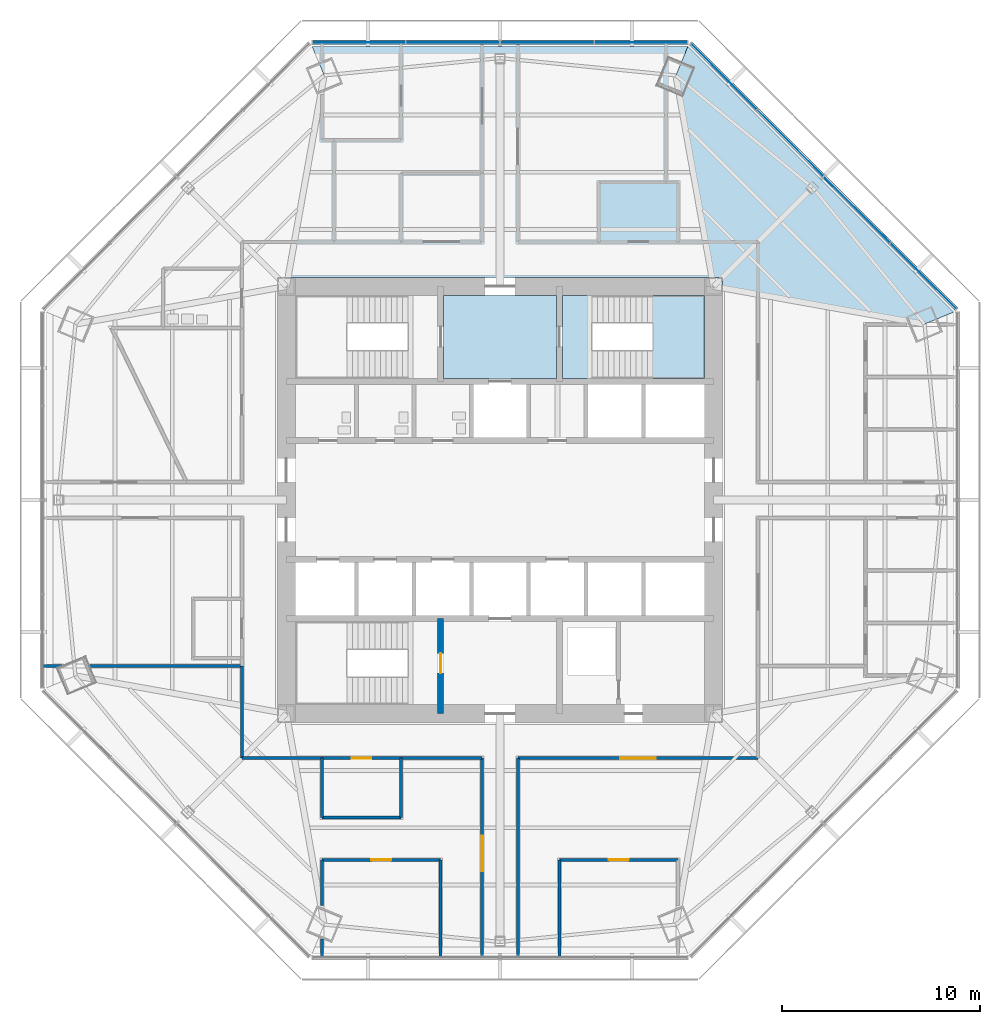
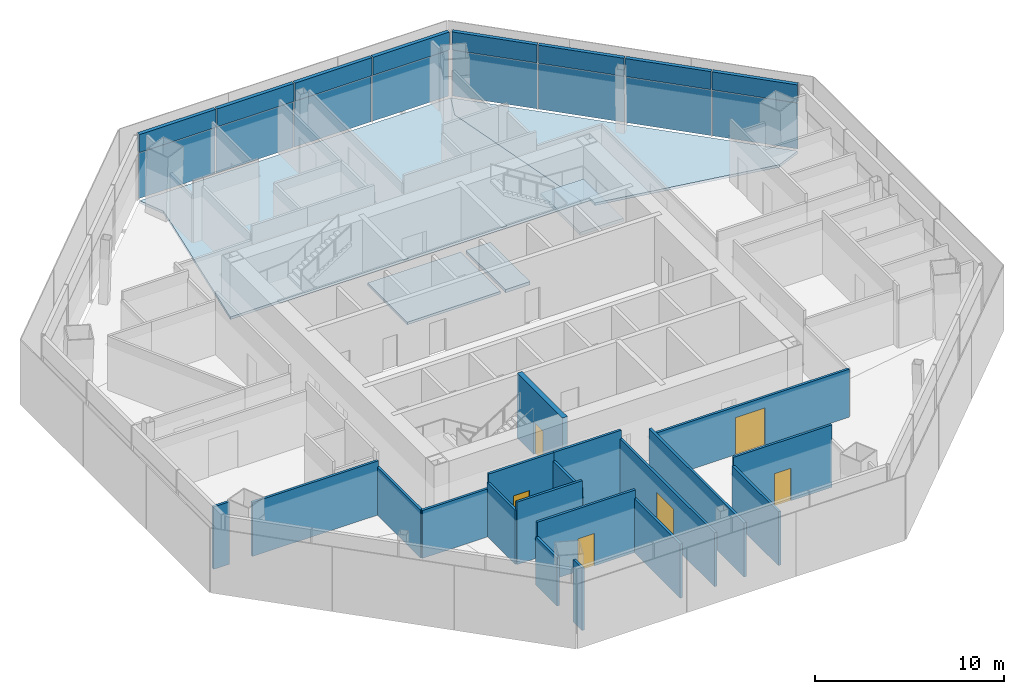
# One storey, part 8 of 15: 19 walls, 16 plates, 6 doors, 5 slabs, 6 openings, 3 elements without a shape of their own.
"""IFC4 building model written with IfcOpenShell, lengths in metres."""

from ifc_helpers import new_model, si_unit, direction, frame, frame_2d, origin, origin_2d, place, context, subcontext, project, spatial, polyline, rectangle, outline, extrude, source, transform, mapped, material, layer, layer_set, type_object, type_shapes, element, fill, aggregate, save


model = new_model("IFC4")

# Units and contexts
model_context = context("Model", 3, precision=1e-05, world=origin(), true_north=direction((0.0, 1.0)))
body_context = subcontext(model_context, "Body", "Model", "MODEL_VIEW")
ifc_project = project(units=[si_unit("LENGTHUNIT", "METRE"), si_unit("AREAUNIT", "SQUARE_METRE"), si_unit("VOLUMEUNIT", "CUBIC_METRE"), si_unit("PLANEANGLEUNIT", "RADIAN"), si_unit("MASSUNIT", "GRAM", prefix="KILO")], contexts=[model_context])

# Site, building, storey
site_placement = place(None, origin())
site = spatial("IfcSite", under=ifc_project, at=site_placement, CompositionType="ELEMENT")
building_placement = place(site_placement, origin())
building = spatial("IfcBuilding", under=site, at=building_placement, Name="Mashrafa Tower", CompositionType="ELEMENT")
storey_placement = place(building_placement, frame((0.0, 0.0, 172.199951171875)))
storey = spatial("IfcBuildingStorey", under=building, at=storey_placement, Name="L39", CompositionType="ELEMENT", Elevation=172.199951171875)

# Slabs
ifc_material_1 = material(Name="Concrete C35/45", Category="concrete")
ifc_layer_1 = layer(ifc_material_1, 0.1650390625)
ifc_layer_set_1 = layer_set([ifc_layer_1], Name="Floor slab 165")
slab_type_1 = type_object("IfcSlabType", Name="Floor slab 165", PredefinedType="FLOOR", material=ifc_layer_set_1)
slab_1_placement = place(storey_placement, frame((0.0, 0.0, -0.1650390625)))
element("IfcSlab", 1, at=slab_1_placement, inside=storey, type_object=slab_type_1, Name="Floor slab L39 north-east bay", PredefinedType="FLOOR", context=body_context, shape_type="SweptSolid", body=[
    extrude(outline(polyline([(9.50341796875, 22.943359375), (22.943359375, 9.50341796875), (22.943359375, 9.50341796875), (21.469970703125, 8.89306640625), (11.25, 10.719482421875), (11.25, 11.25), (10.719482421875, 11.25), (8.89306640625, 21.469970703125), (9.50341796875, 22.943359375), (9.50341796875, 22.943359375)])), origin(), (0.0, 0.0, 1.0), 0.1650390625),
])
slab_2_placement = place(storey_placement, frame((0.0, 0.0, -0.1650390625)))
element("IfcSlab", 2, at=slab_2_placement, inside=storey, type_object=slab_type_1, Name="Floor slab L39 north bay", PredefinedType="FLOOR", context=body_context, shape_type="SweptSolid", body=[
    extrude(outline(polyline([(9.50341796875, 22.943359375), (8.89306640625, 21.469970703125), (10.719482421875, 11.25), (-10.719482421875, 11.25), (-8.89306640625, 21.469970703125), (-9.50341796875, 22.943359375), (9.50341796875, 22.943359375)])), origin(), (0.0, 0.0, 1.0), 0.1650390625),
])
slab_3_placement = place(storey_placement, frame((0.0, 0.0, -0.1650390625)))
element("IfcSlab", 3, at=slab_3_placement, inside=storey, type_object=slab_type_1, Name="Core floor fire-fighting lobby north L39", PredefinedType="FLOOR", context=body_context, shape_type="SweptSolid", body=[
    extrude(outline(polyline([(-2.85009765625, 10.35009765625), (2.85009765625, 10.35009765625), (2.85009765625, 6.14990234375), (-2.85009765625, 6.14990234375), (-2.85009765625, 10.35009765625)])), origin(), (0.0, 0.0, 1.0), 0.1650390625),
])

# Stair, slabs
ifc_material_2 = material(Name="Exit stair 1400")
stair_type = type_object("IfcStairType", Name="Exit stair 1400", PredefinedType="HALF_TURN_STAIR", material=ifc_material_2)
stair_placement = place(storey_placement, origin())
stair = element("IfcStair", 4, at=stair_placement, inside=storey, type_object=stair_type, Name="Stair S2 L39", PredefinedType="HALF_TURN_STAIR")
ifc_material_3 = material(Name="Concrete C32/40", Category="concrete")
ifc_layer_2 = layer(ifc_material_3, 0.199951171875)
ifc_layer_set_2 = layer_set([ifc_layer_2], Name="Stair landing 200")
slab_type_2 = type_object("IfcSlabType", Name="Stair landing 200", PredefinedType="LANDING", material=ifc_layer_set_2)
slab_4_placement = place(storey_placement, frame((0.0, 0.0, -0.199951171875)))
slab_4 = element("IfcSlab", 5, at=slab_4_placement, type_object=slab_type_2, Name="S2 landing 1", PredefinedType="LANDING", context=body_context, shape_type="SweptSolid", body=[
    extrude(outline(polyline([(3.14990234375, 6.14990234375), (4.659912109375, 6.14990234375), (4.659912109375, 10.35009765625), (3.14990234375, 10.35009765625), (3.14990234375, 6.14990234375)])), origin(), (0.0, 0.0, 1.0), 0.199951171875),
])
slab_5_placement = place(storey_placement, frame((0.0, 0.0, 1.900146484375)))
slab_5 = element("IfcSlab", 6, at=slab_5_placement, type_object=slab_type_2, Name="S2 landing 2", PredefinedType="LANDING", context=body_context, shape_type="SweptSolid", body=[
    extrude(outline(polyline([(7.719970703125, 6.14990234375), (10.35009765625, 6.14990234375), (10.35009765625, 10.35009765625), (7.719970703125, 10.35009765625), (7.719970703125, 6.14990234375)])), origin(), (0.0, 0.0, 1.0), 0.199951171875),
])
aggregate(stair, [slab_4, slab_5])

# Curtain wall, plates
ifc_material_4 = material(Name="Unitised aluminium curtain wall", Category="aluminium")
curtain_wall_type = type_object("IfcCurtainWallType", Name="Office curtain wall, zone 2 CW-B 225 deep", PredefinedType="NOTDEFINED", material=ifc_material_4)
curtain_wall_1_placement = place(storey_placement, origin())
curtain_wall_1 = element("IfcCurtainWall", 7, at=curtain_wall_1_placement, inside=storey, type_object=curtain_wall_type, Name="Office curtain wall, zone 2 L39 north-east", PredefinedType="NOTDEFINED")
ifc_material_5 = material(Name="Insulated double glazing, low-e, neutral", Category="glass")
ifc_layer_3 = layer(ifc_material_5, 0.028076171875)
ifc_layer_set_3 = layer_set([ifc_layer_3], Name="Vision panel CW-B 28")
plate_type_1 = type_object("IfcPlateType", Name="Vision panel CW-B 28", PredefinedType="CURTAIN_PANEL", material=ifc_layer_set_3)
shared_shape_1 = source(origin(), body_context, "Body", "SweptSolid", [
    extrude(rectangle(XDim=4.66748046875, YDim=0.028076171875, at=origin_2d()), origin(), (0.0, 0.0, 1.0), 2.9599609375),
])
plate_1_placement = place(storey_placement, frame((21.4072265625, 11.322509765625, 0.0), z_axis=(0.0, 0.0, 1.0), x_axis=(-0.707106781187, 0.707106781187, 0.0)))
plate_1 = element("IfcPlate", 8, at=plate_1_placement, type_object=plate_type_1, Name="CW-B vision panel 1", PredefinedType="CURTAIN_PANEL", context=body_context, shape_type="MappedRepresentation", body=[
    mapped(shared_shape_1, transform((0.0, 0.0, 0.0))),
])
plate_2_placement = place(storey_placement, frame((11.322509765625, 21.4072265625, 0.0), z_axis=(0.0, 0.0, 1.0), x_axis=(-0.707106781187, 0.707106781187, 0.0)))
plate_2 = element("IfcPlate", 9, at=plate_2_placement, type_object=plate_type_1, Name="CW-B vision panel 4", PredefinedType="CURTAIN_PANEL", context=body_context, shape_type="MappedRepresentation", body=[
    mapped(shared_shape_1, transform((0.0, 0.0, 0.0))),
])

curtain_wall_2_placement = place(storey_placement, origin())
curtain_wall_2 = element("IfcCurtainWall", 10, at=curtain_wall_2_placement, inside=storey, type_object=curtain_wall_type, Name="Office curtain wall, zone 2 L39 north", PredefinedType="NOTDEFINED")
plate_3_placement = place(storey_placement, frame((7.131103515625, 23.143310546875, 0.0), z_axis=(0.0, 0.0, 1.0), x_axis=(-1.0, 0.0, 0.0)))
plate_3 = element("IfcPlate", 11, at=plate_3_placement, type_object=plate_type_1, Name="CW-B vision panel 1", PredefinedType="CURTAIN_PANEL", context=body_context, shape_type="MappedRepresentation", body=[
    mapped(shared_shape_1, transform((0.0, 0.0, 0.0))),
])
plate_4_placement = place(storey_placement, frame((-7.131103515625, 23.143310546875, 0.0), z_axis=(0.0, 0.0, 1.0), x_axis=(-1.0, 0.0, 0.0)))
plate_4 = element("IfcPlate", 12, at=plate_4_placement, type_object=plate_type_1, Name="CW-B vision panel 4", PredefinedType="CURTAIN_PANEL", context=body_context, shape_type="MappedRepresentation", body=[
    mapped(shared_shape_1, transform((0.0, 0.0, 0.0))),
])

# Plate
ifc_material_6 = material(Name="Insulated aluminium spandrel panel", Category="aluminium")
ifc_layer_4 = layer(ifc_material_6, 0.219970703125)
ifc_layer_set_4 = layer_set([ifc_layer_4], Name="Spandrel panel CW-B 220")
plate_type_2 = type_object("IfcPlateType", Name="Spandrel panel CW-B 220", PredefinedType="CURTAIN_PANEL", material=ifc_layer_set_4)
shared_shape_2 = source(origin(), body_context, "Body", "SweptSolid", [
    extrude(rectangle(XDim=4.66748046875, YDim=0.219970703125, at=origin_2d()), origin(), (0.0, 0.0, 1.0), 1.159912109375),
])
plate_5_placement = place(storey_placement, frame((21.4072265625, 11.322509765625, 3.0400390625), z_axis=(0.0, 0.0, 1.0), x_axis=(-0.707106781187, 0.707106781187, 0.0)))
plate_5 = element("IfcPlate", 13, at=plate_5_placement, type_object=plate_type_2, Name="CW-B spandrel panel 1", PredefinedType="CURTAIN_PANEL", context=body_context, shape_type="MappedRepresentation", body=[
    mapped(shared_shape_2, transform((0.0, 0.0, 0.0))),
])

plate_6_placement = place(storey_placement, frame((11.322509765625, 21.4072265625, 3.0400390625), z_axis=(0.0, 0.0, 1.0), x_axis=(-0.707106781187, 0.707106781187, 0.0)))
plate_6 = element("IfcPlate", 14, at=plate_6_placement, type_object=plate_type_2, Name="CW-B spandrel panel 4", PredefinedType="CURTAIN_PANEL", context=body_context, shape_type="MappedRepresentation", body=[
    mapped(shared_shape_2, transform((0.0, 0.0, 0.0))),
])

plate_7_placement = place(storey_placement, frame((7.131103515625, 23.143310546875, 3.0400390625), z_axis=(0.0, 0.0, 1.0), x_axis=(-1.0, 0.0, 0.0)))
plate_7 = element("IfcPlate", 15, at=plate_7_placement, type_object=plate_type_2, Name="CW-B spandrel panel 1", PredefinedType="CURTAIN_PANEL", context=body_context, shape_type="MappedRepresentation", body=[
    mapped(shared_shape_2, transform((0.0, 0.0, 0.0))),
])

plate_8_placement = place(storey_placement, frame((-7.131103515625, 23.143310546875, 3.0400390625), z_axis=(0.0, 0.0, 1.0), x_axis=(-1.0, 0.0, 0.0)))
plate_8 = element("IfcPlate", 16, at=plate_8_placement, type_object=plate_type_2, Name="CW-B spandrel panel 4", PredefinedType="CURTAIN_PANEL", context=body_context, shape_type="MappedRepresentation", body=[
    mapped(shared_shape_2, transform((0.0, 0.0, 0.0))),
])

shared_shape_3 = source(origin(), body_context, "Body", "SweptSolid", [
    extrude(rectangle(XDim=4.699951171875, YDim=0.028076171875, at=origin_2d()), origin(), (0.0, 0.0, 1.0), 2.9599609375),
])
type_shapes(plate_type_1, [shared_shape_1, shared_shape_3])
plate_9_placement = place(storey_placement, frame((18.049560546875, 14.68017578125, 0.0), z_axis=(0.0, 0.0, 1.0), x_axis=(-0.707106781187, 0.707106781187, 0.0)))
plate_9 = element("IfcPlate", 17, at=plate_9_placement, type_object=plate_type_1, Name="CW-B vision panel 2", PredefinedType="CURTAIN_PANEL", context=body_context, shape_type="MappedRepresentation", body=[
    mapped(shared_shape_3, transform((0.0, 0.0, 0.0))),
])

plate_10_placement = place(storey_placement, frame((14.68017578125, 18.049560546875, 0.0), z_axis=(0.0, 0.0, 1.0), x_axis=(-0.707106781187, 0.707106781187, 0.0)))
plate_10 = element("IfcPlate", 18, at=plate_10_placement, type_object=plate_type_1, Name="CW-B vision panel 3", PredefinedType="CURTAIN_PANEL", context=body_context, shape_type="MappedRepresentation", body=[
    mapped(shared_shape_3, transform((0.0, 0.0, 0.0))),
])

plate_11_placement = place(storey_placement, frame((2.38232421875, 23.143310546875, 0.0), z_axis=(0.0, 0.0, 1.0), x_axis=(-1.0, 0.0, 0.0)))
plate_11 = element("IfcPlate", 19, at=plate_11_placement, type_object=plate_type_1, Name="CW-B vision panel 2", PredefinedType="CURTAIN_PANEL", context=body_context, shape_type="MappedRepresentation", body=[
    mapped(shared_shape_3, transform((0.0, 0.0, 0.0))),
])

plate_12_placement = place(storey_placement, frame((-2.38232421875, 23.143310546875, 0.0), z_axis=(0.0, 0.0, 1.0), x_axis=(-1.0, 0.0, 0.0)))
plate_12 = element("IfcPlate", 20, at=plate_12_placement, type_object=plate_type_1, Name="CW-B vision panel 3", PredefinedType="CURTAIN_PANEL", context=body_context, shape_type="MappedRepresentation", body=[
    mapped(shared_shape_3, transform((0.0, 0.0, 0.0))),
])

shared_shape_4 = source(origin(), body_context, "Body", "SweptSolid", [
    extrude(rectangle(XDim=4.699951171875, YDim=0.219970703125, at=origin_2d()), origin(), (0.0, 0.0, 1.0), 1.159912109375),
])
type_shapes(plate_type_2, [shared_shape_2, shared_shape_4])
plate_13_placement = place(storey_placement, frame((18.049560546875, 14.68017578125, 3.0400390625), z_axis=(0.0, 0.0, 1.0), x_axis=(-0.707106781187, 0.707106781187, 0.0)))
plate_13 = element("IfcPlate", 21, at=plate_13_placement, type_object=plate_type_2, Name="CW-B spandrel panel 2", PredefinedType="CURTAIN_PANEL", context=body_context, shape_type="MappedRepresentation", body=[
    mapped(shared_shape_4, transform((0.0, 0.0, 0.0))),
])

plate_14_placement = place(storey_placement, frame((14.68017578125, 18.049560546875, 3.0400390625), z_axis=(0.0, 0.0, 1.0), x_axis=(-0.707106781187, 0.707106781187, 0.0)))
plate_14 = element("IfcPlate", 22, at=plate_14_placement, type_object=plate_type_2, Name="CW-B spandrel panel 3", PredefinedType="CURTAIN_PANEL", context=body_context, shape_type="MappedRepresentation", body=[
    mapped(shared_shape_4, transform((0.0, 0.0, 0.0))),
])

aggregate(curtain_wall_1, [plate_1, plate_5, plate_9, plate_13, plate_10, plate_14, plate_2, plate_6])

plate_15_placement = place(storey_placement, frame((2.38232421875, 23.143310546875, 3.0400390625), z_axis=(0.0, 0.0, 1.0), x_axis=(-1.0, 0.0, 0.0)))
plate_15 = element("IfcPlate", 23, at=plate_15_placement, type_object=plate_type_2, Name="CW-B spandrel panel 2", PredefinedType="CURTAIN_PANEL", context=body_context, shape_type="MappedRepresentation", body=[
    mapped(shared_shape_4, transform((0.0, 0.0, 0.0))),
])

plate_16_placement = place(storey_placement, frame((-2.38232421875, 23.143310546875, 3.0400390625), z_axis=(0.0, 0.0, 1.0), x_axis=(-1.0, 0.0, 0.0)))
plate_16 = element("IfcPlate", 24, at=plate_16_placement, type_object=plate_type_2, Name="CW-B spandrel panel 3", PredefinedType="CURTAIN_PANEL", context=body_context, shape_type="MappedRepresentation", body=[
    mapped(shared_shape_4, transform((0.0, 0.0, 0.0))),
])

aggregate(curtain_wall_2, [plate_3, plate_7, plate_11, plate_15, plate_12, plate_16, plate_4, plate_8])

# Wall, opening, door
ifc_material_7 = material(Name="Concrete C60/75", Category="concrete")
ifc_layer_5 = layer(ifc_material_7, 0.300048828125)
ifc_layer_set_5 = layer_set([ifc_layer_5], Name="Core wall 300 C60/75")
wall_type_1 = type_object("IfcWallType", Name="Core wall 300 C60/75", PredefinedType="SOLIDWALL", material=ifc_layer_set_5)
wall_1_placement = place(storey_placement, frame((-3.0, -6.0, 0.0), z_axis=(0.0, 0.0, 1.0), x_axis=(0.0, -1.0, 0.0)))
wall_1 = element("IfcWall", 25, at=wall_1_placement, inside=storey, type_object=wall_type_1, Name="Core wall CX-SW L39", PredefinedType="SOLIDWALL", context=body_context, shape_type="SweptSolid", body=[
    extrude(rectangle(XDim=4.800048828125, YDim=0.300048828125, at=frame_2d((2.39990234375, 0.0))), origin(), (0.0, 0.0, 1.0), 4.199951171875),
])
opening_1_placement = place(wall_1_placement, frame((1.75, 0.0, 0.0)))
opening_1 = element("IfcOpeningElement", 26, at=opening_1_placement, cuts=wall_1, Name="Opening 39.032", PredefinedType="OPENING", context=body_context, shape_type="SweptSolid", body=[
    extrude(rectangle(XDim=1.0, YDim=2.10009765625, at=frame_2d((0.5, 1.050048828125))), frame((0.0, 0.159912109375, 0.0), z_axis=(0.0, -1.0, 0.0), x_axis=(1.0, 0.0, 0.0)), (0.0, 0.0, 1.0), 0.320068359375),
])
ifc_material_8 = material(Name="Steel door", Category="steel")
door_type_1 = type_object("IfcDoorType", Name="Stair door 1000 x 2100 90 min", OperationType="USERDEFINED", PredefinedType="DOOR", material=ifc_material_8)
door_1_placement = place(opening_1_placement, frame((1.0, 0.0, 0.0), z_axis=(0.0, 0.0, 1.0), x_axis=(-1.0, 0.0, 0.0)))
door_1 = element("IfcDoor", 27, at=door_1_placement, inside=storey, type_object=door_type_1, Name="Stair S3 door L39", OperationType="SINGLE_SWING_RIGHT", OverallHeight=2.10009765625, OverallWidth=1.0, PredefinedType="DOOR", context=body_context, shape_type="SweptSolid", body=[
    extrude(rectangle(XDim=1.0, YDim=2.10009765625, at=frame_2d((0.5, 1.050048828125))), frame((0.0, 0.02490234375, 0.0), z_axis=(0.0, -1.0, 0.0), x_axis=(1.0, 0.0, 0.0)), (0.0, 0.0, 1.0), 0.050048828125),
])
fill(opening_1, door_1)

ifc_material_9 = material(Name="Gypsum board on steel studs", Category="steel")
ifc_layer_6 = layer(ifc_material_9, 0.14990234375)
ifc_layer_set_6 = layer_set([ifc_layer_6], Name="Corridor partition 150 1 hr")
wall_type_2 = type_object("IfcWallType", Name="Corridor partition 150 1 hr", PredefinedType="PARTITIONING", material=ifc_layer_set_6)
wall_2_placement = place(storey_placement, frame((-9.0009765625, -13.050048828125, 0.0), z_axis=(0.0, 0.0, 1.0), x_axis=(1.0, 0.0, 0.0)))
wall_2 = element("IfcWall", 28, at=wall_2_placement, inside=storey, type_object=wall_type_2, Name="Corridor wall L39-007", PredefinedType="PARTITIONING", context=body_context, shape_type="SweptSolid", body=[
    extrude(rectangle(XDim=4.001953125, YDim=0.14990234375, at=frame_2d((2.0009765625, 0.0))), origin(), (0.0, 0.0, 1.0), 4.03515625),
])
opening_2_placement = place(wall_2_placement, frame((1.5009765625, 0.0, 0.0)))
opening_2 = element("IfcOpeningElement", 29, at=opening_2_placement, cuts=wall_2, Name="Opening 39.006", PredefinedType="OPENING", context=body_context, shape_type="SweptSolid", body=[
    extrude(rectangle(XDim=1.0, YDim=2.10009765625, at=frame_2d((0.5, 1.050048828125))), frame((0.0, 0.0849609375, 0.0), z_axis=(0.0, -1.0, 0.0), x_axis=(1.0, 0.0, 0.0)), (0.0, 0.0, 1.0), 0.169921875),
])
ifc_material_10 = material(Name="Timber door", Category="wood")
door_type_2 = type_object("IfcDoorType", Name="Door 1000 x 2100", OperationType="USERDEFINED", PredefinedType="DOOR", material=ifc_material_10)
door_2_placement = place(opening_2_placement, frame((1.0, 0.0, 0.0), z_axis=(0.0, 0.0, 1.0), x_axis=(-1.0, 0.0, 0.0)))
door_2 = element("IfcDoor", 30, at=door_2_placement, inside=storey, type_object=door_type_2, Name="Pantry 39-2 door", OperationType="SINGLE_SWING_RIGHT", OverallHeight=2.10009765625, OverallWidth=1.0, PredefinedType="DOOR", context=body_context, shape_type="SweptSolid", body=[
    extrude(rectangle(XDim=1.0, YDim=2.10009765625, at=frame_2d((0.5, 1.050048828125))), frame((0.0, 0.02490234375, 0.0), z_axis=(0.0, -1.0, 0.0), x_axis=(1.0, 0.0, 0.0)), (0.0, 0.0, 1.0), 0.050048828125),
])
fill(opening_2, door_2)

# Walls
wall_3_placement = place(storey_placement, frame((-13.050048828125, -8.39892578125, 0.0), z_axis=(0.0, 0.0, 1.0), x_axis=(0.0, -1.0, 0.0)))
element("IfcWall", 31, at=wall_3_placement, inside=storey, type_object=wall_type_2, Name="Corridor wall L39-021", PredefinedType="PARTITIONING", context=body_context, shape_type="SweptSolid", body=[
    extrude(rectangle(XDim=4.651123046875, YDim=0.14990234375, at=frame_2d((2.32568359375, 0.0))), origin(), (0.0, 0.0, 1.0), 3.097900390625),
])
wall_4_placement = place(storey_placement, frame((-13.050048828125, -13.050048828125, 0.0), z_axis=(0.0, 0.0, 1.0), x_axis=(1.0, 0.0, 0.0)))
element("IfcWall", 32, at=wall_4_placement, inside=storey, type_object=wall_type_2, Name="Corridor wall L39-022", PredefinedType="PARTITIONING", context=body_context, shape_type="SweptSolid", body=[
    extrude(rectangle(XDim=4.051025390625, YDim=0.14990234375, at=frame_2d((2.025390625, 0.0))), origin(), (0.0, 0.0, 1.0), 3.097900390625),
])
wall_5_placement = place(storey_placement, frame((-5.0009765625, -13.050048828125, 0.0), z_axis=(0.0, 0.0, 1.0), x_axis=(1.0, 0.0, 0.0)))
element("IfcWall", 33, at=wall_5_placement, inside=storey, type_object=wall_type_2, Name="Corridor wall L39-023", PredefinedType="PARTITIONING", context=body_context, shape_type="SweptSolid", body=[
    extrude(rectangle(XDim=4.10107421875, YDim=0.14990234375, at=frame_2d((2.050537109375, 0.0))), origin(), (0.0, 0.0, 1.0), 4.03515625),
])

# Wall, opening, door
wall_6_placement = place(storey_placement, frame((-0.89990234375, -13.050048828125, 0.0), z_axis=(0.0, 0.0, 1.0), x_axis=(0.0, -1.0, 0.0)))
wall_6 = element("IfcWall", 34, at=wall_6_placement, inside=storey, type_object=wall_type_2, Name="Corridor wall L39-024", PredefinedType="PARTITIONING", context=body_context, shape_type="SweptSolid", body=[
    extrude(rectangle(XDim=10.077392578125, YDim=0.14990234375, at=frame_2d((5.03857421875, 0.0))), origin(), (0.0, 0.0, 1.0), 3.49169921875),
])
opening_3_placement = place(wall_6_placement, frame((3.921630859375, 0.0, 0.0)))
opening_3 = element("IfcOpeningElement", 35, at=opening_3_placement, cuts=wall_6, Name="Opening 39.020", PredefinedType="OPENING", context=body_context, shape_type="SweptSolid", body=[
    extrude(rectangle(XDim=1.800048828125, YDim=2.39990234375, at=frame_2d((0.89990234375, 1.199951171875))), frame((0.0, 0.0849609375, 0.0), z_axis=(0.0, -1.0, 0.0), x_axis=(1.0, 0.0, 0.0)), (0.0, 0.0, 1.0), 0.169921875),
])
ifc_material_11 = material(Name="Timber door", Category="wood")
door_type_3 = type_object("IfcDoorType", Name="Door pair 1800 x 2400", OperationType="DOUBLE_DOOR_SINGLE_SWING", PredefinedType="DOOR", material=ifc_material_11)
door_3_placement = place(opening_3_placement, frame((1.800048828125, 0.0, 0.0), z_axis=(0.0, 0.0, 1.0), x_axis=(-1.0, 0.0, 0.0)))
door_3 = element("IfcDoor", 36, at=door_3_placement, inside=storey, type_object=door_type_3, Name="Office Tenancy 39-2-SW1 door", OperationType="DOUBLE_DOOR_SINGLE_SWING", OverallHeight=2.39990234375, OverallWidth=1.800048828125, PredefinedType="DOOR", context=body_context, shape_type="SweptSolid", body=[
    extrude(rectangle(XDim=1.800048828125, YDim=2.39990234375, at=frame_2d((0.89990234375, 1.199951171875))), frame((0.0, 0.02490234375, 0.0), z_axis=(0.0, -1.0, 0.0), x_axis=(1.0, 0.0, 0.0)), (0.0, 0.0, 1.0), 0.050048828125),
])
fill(opening_3, door_3)

# Wall
wall_7_placement = place(storey_placement, frame((0.89990234375, -23.12548828125, 0.0), z_axis=(0.0, 0.0, 1.0), x_axis=(0.0, 1.0, 0.0)))
element("IfcWall", 37, at=wall_7_placement, inside=storey, type_object=wall_type_2, Name="Corridor wall L39-028", PredefinedType="PARTITIONING", context=body_context, shape_type="SweptSolid", body=[
    extrude(rectangle(XDim=10.075439453125, YDim=0.14990234375, at=frame_2d((5.03759765625, 0.0))), origin(), (0.0, 0.0, 1.0), 3.49169921875),
])

# Wall, opening, door
wall_8_placement = place(storey_placement, frame((0.89990234375, -13.050048828125, 0.0), z_axis=(0.0, 0.0, 1.0), x_axis=(1.0, 0.0, 0.0)))
wall_8 = element("IfcWall", 38, at=wall_8_placement, inside=storey, type_object=wall_type_2, Name="Corridor wall L39-029", PredefinedType="PARTITIONING", context=body_context, shape_type="SweptSolid", body=[
    extrude(rectangle(XDim=12.150146484375, YDim=0.14990234375, at=frame_2d((6.0751953125, 0.0))), origin(), (0.0, 0.0, 1.0), 3.097900390625),
])
opening_4_placement = place(wall_8_placement, frame((5.175048828125, 0.0, 0.0)))
opening_4 = element("IfcOpeningElement", 39, at=opening_4_placement, cuts=wall_8, Name="Opening 39.022", PredefinedType="OPENING", context=body_context, shape_type="SweptSolid", body=[
    extrude(rectangle(XDim=1.800048828125, YDim=2.39990234375, at=frame_2d((0.89990234375, 1.199951171875))), frame((0.0, 0.0849609375, 0.0), z_axis=(0.0, -1.0, 0.0), x_axis=(1.0, 0.0, 0.0)), (0.0, 0.0, 1.0), 0.169921875),
])
door_4_placement = place(opening_4_placement, frame((1.800048828125, 0.0, 0.0), z_axis=(0.0, 0.0, 1.0), x_axis=(-1.0, 0.0, 0.0)))
door_4 = element("IfcDoor", 40, at=door_4_placement, inside=storey, type_object=door_type_3, Name="Office Tenancy 39-1-SE1 door", OperationType="DOUBLE_DOOR_SINGLE_SWING", OverallHeight=2.39990234375, OverallWidth=1.800048828125, PredefinedType="DOOR", context=body_context, shape_type="SweptSolid", body=[
    extrude(rectangle(XDim=1.800048828125, YDim=2.39990234375, at=frame_2d((0.89990234375, 1.199951171875))), frame((0.0, 0.02490234375, 0.0), z_axis=(0.0, -1.0, 0.0), x_axis=(1.0, 0.0, 0.0)), (0.0, 0.0, 1.0), 0.050048828125),
])
fill(opening_4, door_4)

# Walls
ifc_material_12 = material(Name="Gypsum board on steel studs", Category="steel")
ifc_layer_7 = layer(ifc_material_12, 0.14990234375)
ifc_layer_set_7 = layer_set([ifc_layer_7], Name="Partition 150")
wall_type_3 = type_object("IfcWallType", Name="Partition 150", PredefinedType="PARTITIONING", material=ifc_layer_set_7)
wall_9_placement = place(storey_placement, frame((-9.0, -13.050048828125, 0.0), z_axis=(0.0, 0.0, 1.0), x_axis=(0.0, -1.0, 0.0)))
element("IfcWall", 41, at=wall_9_placement, inside=storey, type_object=wall_type_3, Name="Partition wall L39-049", PredefinedType="PARTITIONING", context=body_context, shape_type="SweptSolid", body=[
    extrude(rectangle(XDim=3.0, YDim=0.14990234375, at=frame_2d((1.5, 0.0))), origin(), (0.0, 0.0, 1.0), 3.49169921875),
])
wall_10_placement = place(storey_placement, frame((-9.0, -16.050048828125, 0.0), z_axis=(0.0, 0.0, 1.0), x_axis=(1.0, 0.0, 0.0)))
element("IfcWall", 42, at=wall_10_placement, inside=storey, type_object=wall_type_3, Name="Partition wall L39-050", PredefinedType="PARTITIONING", context=body_context, shape_type="SweptSolid", body=[
    extrude(rectangle(XDim=4.0, YDim=0.14990234375, at=frame_2d((2.0, 0.0))), origin(), (0.0, 0.0, 1.0), 4.03515625),
])
wall_11_placement = place(storey_placement, frame((-5.0, -16.050048828125, 0.0), z_axis=(0.0, 0.0, 1.0), x_axis=(0.0, 1.0, 0.0)))
element("IfcWall", 43, at=wall_11_placement, inside=storey, type_object=wall_type_3, Name="Partition wall L39-051", PredefinedType="PARTITIONING", context=body_context, shape_type="SweptSolid", body=[
    extrude(rectangle(XDim=3.0, YDim=0.14990234375, at=frame_2d((1.5, 0.0))), origin(), (0.0, 0.0, 1.0), 3.49169921875),
])
wall_12_placement = place(storey_placement, frame((-3.0, -23.12548828125, 0.0), z_axis=(0.0, 0.0, 1.0), x_axis=(0.0, 1.0, 0.0)))
element("IfcWall", 44, at=wall_12_placement, inside=storey, type_object=wall_type_3, Name="Partition wall L39-070", PredefinedType="PARTITIONING", context=body_context, shape_type="SweptSolid", body=[
    extrude(rectangle(XDim=4.93212890625, YDim=0.14990234375, at=frame_2d((2.466064453125, 0.0))), origin(), (0.0, 0.0, 1.0), 3.49169921875),
])

# Wall, opening, door
wall_13_placement = place(storey_placement, frame((-3.0, -18.193359375, 0.0), z_axis=(0.0, 0.0, 1.0), x_axis=(-1.0, 0.0, 0.0)))
wall_13 = element("IfcWall", 45, at=wall_13_placement, inside=storey, type_object=wall_type_3, Name="Partition wall L39-071", PredefinedType="PARTITIONING", context=body_context, shape_type="SweptSolid", body=[
    extrude(rectangle(XDim=6.0, YDim=0.14990234375, at=frame_2d((3.0, 0.0))), origin(), (0.0, 0.0, 1.0), 4.03515625),
])
opening_5_placement = place(wall_13_placement, frame((2.5, 0.0, 0.0)))
opening_5 = element("IfcOpeningElement", 46, at=opening_5_placement, cuts=wall_13, Name="Opening 39.014", PredefinedType="OPENING", context=body_context, shape_type="SweptSolid", body=[
    extrude(rectangle(XDim=1.0, YDim=2.10009765625, at=frame_2d((0.5, 1.050048828125))), frame((0.0, 0.0849609375, 0.0), z_axis=(0.0, -1.0, 0.0), x_axis=(1.0, 0.0, 0.0)), (0.0, 0.0, 1.0), 0.169921875),
])
door_5_placement = place(opening_5_placement, origin())
door_5 = element("IfcDoor", 47, at=door_5_placement, inside=storey, type_object=door_type_2, Name="Meeting Room 39-2-SW1 door", OperationType="SINGLE_SWING_LEFT", OverallHeight=2.10009765625, OverallWidth=1.0, PredefinedType="DOOR", context=body_context, shape_type="SweptSolid", body=[
    extrude(rectangle(XDim=1.0, YDim=2.10009765625, at=frame_2d((0.5, 1.050048828125))), frame((0.0, 0.02490234375, 0.0), z_axis=(0.0, -1.0, 0.0), x_axis=(1.0, 0.0, 0.0)), (0.0, 0.0, 1.0), 0.050048828125),
])
fill(opening_5, door_5)

# Walls
wall_14_placement = place(storey_placement, frame((-9.0, -18.193359375, 0.0), z_axis=(0.0, 0.0, 1.0), x_axis=(0.0, -1.0, 0.0)))
element("IfcWall", 48, at=wall_14_placement, inside=storey, type_object=wall_type_3, Name="Partition wall L39-072", PredefinedType="PARTITIONING", context=body_context, shape_type="SweptSolid", body=[
    extrude(rectangle(XDim=2.30908203125, YDim=0.14990234375, at=frame_2d((1.154541015625, 0.0))), origin(), (0.0, 0.0, 1.0), 3.097900390625),
])
wall_15_placement = place(storey_placement, frame((-9.0, -22.19873046875, 0.0), z_axis=(0.0, 0.0, 1.0), x_axis=(0.0, -1.0, 0.0)))
element("IfcWall", 49, at=wall_15_placement, inside=storey, type_object=wall_type_3, Name="Partition wall L39-073", PredefinedType="PARTITIONING", context=body_context, shape_type="SweptSolid", body=[
    extrude(rectangle(XDim=0.9267578125, YDim=0.14990234375, at=frame_2d((0.46337890625, 0.0))), origin(), (0.0, 0.0, 1.0), 4.03515625),
])

# Wall, opening, door
wall_16_placement = place(storey_placement, frame((9.0, -18.193359375, 0.0), z_axis=(0.0, 0.0, 1.0), x_axis=(-1.0, 0.0, 0.0)))
wall_16 = element("IfcWall", 50, at=wall_16_placement, inside=storey, type_object=wall_type_3, Name="Partition wall L39-076", PredefinedType="PARTITIONING", context=body_context, shape_type="SweptSolid", body=[
    extrude(rectangle(XDim=6.0, YDim=0.14990234375, at=frame_2d((3.0, 0.0))), origin(), (0.0, 0.0, 1.0), 4.03515625),
])
opening_6_placement = place(wall_16_placement, frame((2.5, 0.0, 0.0)))
opening_6 = element("IfcOpeningElement", 51, at=opening_6_placement, cuts=wall_16, Name="Opening 39.015", PredefinedType="OPENING", context=body_context, shape_type="SweptSolid", body=[
    extrude(rectangle(XDim=1.0, YDim=2.10009765625, at=frame_2d((0.5, 1.050048828125))), frame((0.0, 0.0849609375, 0.0), z_axis=(0.0, -1.0, 0.0), x_axis=(1.0, 0.0, 0.0)), (0.0, 0.0, 1.0), 0.169921875),
])
door_6_placement = place(opening_6_placement, origin())
door_6 = element("IfcDoor", 52, at=door_6_placement, inside=storey, type_object=door_type_2, Name="Meeting Room 39-1-SE1 door", OperationType="SINGLE_SWING_LEFT", OverallHeight=2.10009765625, OverallWidth=1.0, PredefinedType="DOOR", context=body_context, shape_type="SweptSolid", body=[
    extrude(rectangle(XDim=1.0, YDim=2.10009765625, at=frame_2d((0.5, 1.050048828125))), frame((0.0, 0.02490234375, 0.0), z_axis=(0.0, -1.0, 0.0), x_axis=(1.0, 0.0, 0.0)), (0.0, 0.0, 1.0), 0.050048828125),
])
fill(opening_6, door_6)

# Walls
wall_17_placement = place(storey_placement, frame((3.0, -18.193359375, 0.0), z_axis=(0.0, 0.0, 1.0), x_axis=(0.0, -1.0, 0.0)))
element("IfcWall", 53, at=wall_17_placement, inside=storey, type_object=wall_type_3, Name="Partition wall L39-077", PredefinedType="PARTITIONING", context=body_context, shape_type="SweptSolid", body=[
    extrude(rectangle(XDim=4.93212890625, YDim=0.14990234375, at=frame_2d((2.466064453125, 0.0))), origin(), (0.0, 0.0, 1.0), 3.49169921875),
])
wall_18_placement = place(storey_placement, frame((-13.050048828125, -8.39990234375, 0.0), z_axis=(0.0, 0.0, 1.0), x_axis=(-1.0, 0.0, 0.0)))
element("IfcWall", 54, at=wall_18_placement, inside=storey, type_object=wall_type_3, Name="Partition wall L39-081", PredefinedType="PARTITIONING", context=body_context, shape_type="SweptSolid", body=[
    extrude(rectangle(XDim=7.700927734375, YDim=0.14990234375, at=frame_2d((3.8505859375, 0.0))), origin(), (0.0, 0.0, 1.0), 3.49169921875),
])
wall_19_placement = place(storey_placement, frame((-22.158203125, -8.39990234375, 0.0), z_axis=(0.0, 0.0, 1.0), x_axis=(-1.0, 0.0, 0.0)))
element("IfcWall", 55, at=wall_19_placement, inside=storey, type_object=wall_type_3, Name="Partition wall L39-082", PredefinedType="PARTITIONING", context=body_context, shape_type="SweptSolid", body=[
    extrude(rectangle(XDim=0.96728515625, YDim=0.14990234375, at=frame_2d((0.483642578125, 0.0))), origin(), (0.0, 0.0, 1.0), 4.03515625),
])

save(model, "model.ifc")
